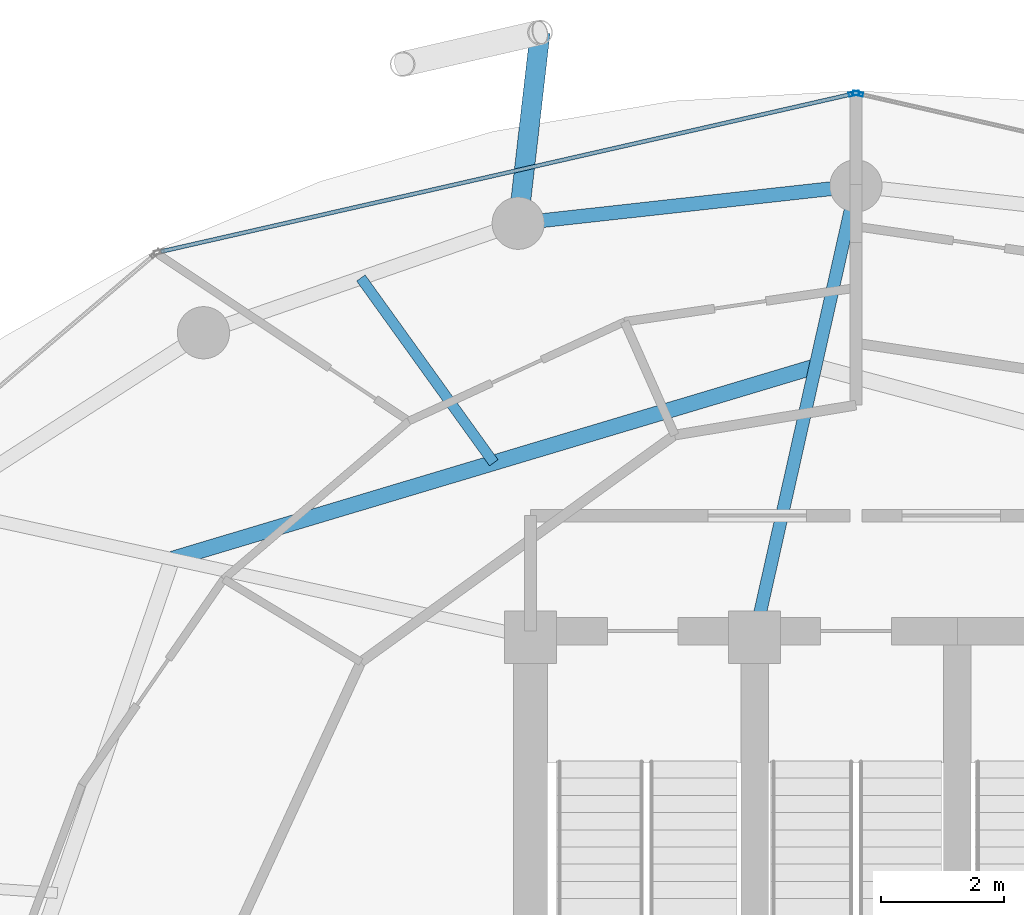
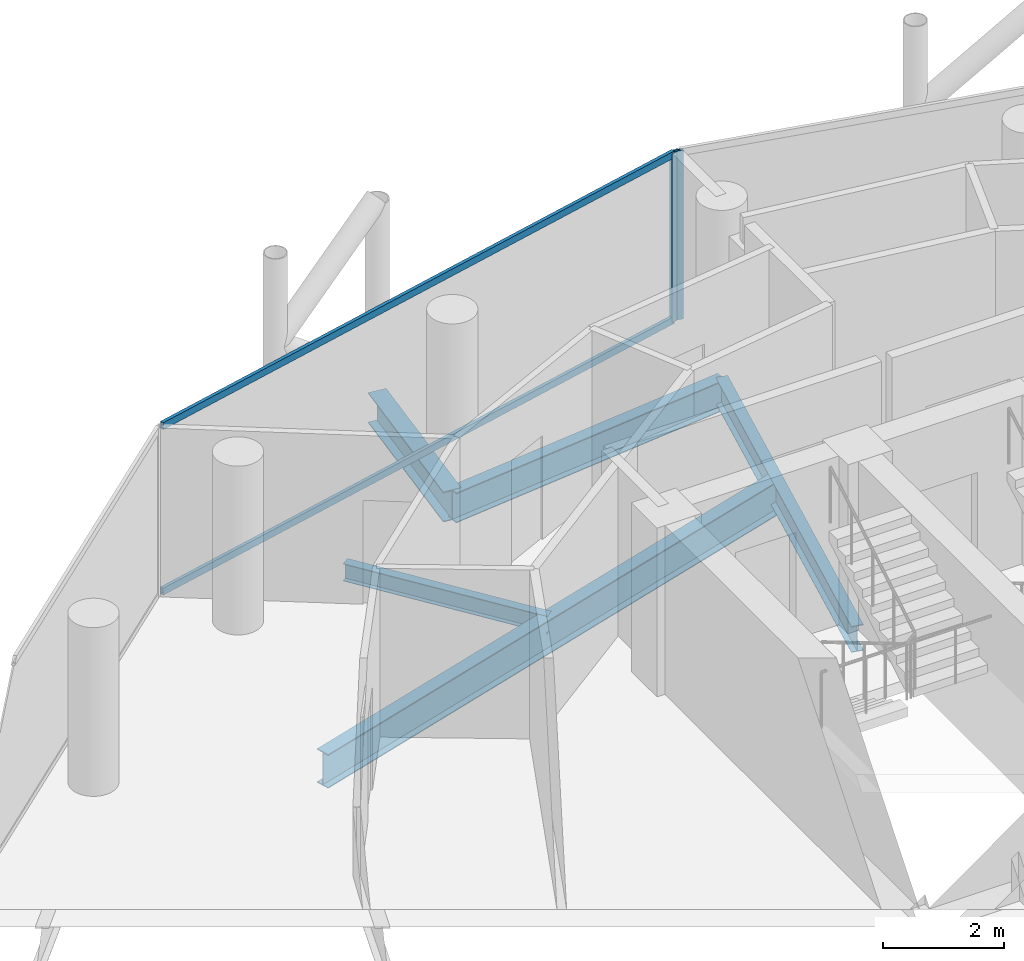
# One storey, part 19 of 27: 5 beams, 4 members, 2 elements without a shape of their own.
"""IFC4 building model written with IfcOpenShell, lengths in metres."""

from ifc_helpers import new_model, si_unit, direction, frame, origin, origin_2d, place, context, subcontext, project, spatial, hollow_rectangle, i_section, extrude, material, layer, layer_set, material_profile, profile_set, type_object, element, aggregate, save


model = new_model("IFC4")

# Units and contexts
model_context = context("Model", 3, precision=1e-05, world=origin(), true_north=direction((0.0, 1.0)))
body_context = subcontext(model_context, "Body", "Model", "MODEL_VIEW")
ifc_project = project(units=[si_unit("LENGTHUNIT", "METRE"), si_unit("AREAUNIT", "SQUARE_METRE"), si_unit("VOLUMEUNIT", "CUBIC_METRE"), si_unit("PLANEANGLEUNIT", "RADIAN"), si_unit("MASSUNIT", "GRAM", prefix="KILO")], contexts=[model_context])

# Site, building, storey
site_placement = place(None, origin())
site = spatial("IfcSite", under=ifc_project, at=site_placement, CompositionType="ELEMENT")
building_placement = place(site_placement, origin())
building = spatial("IfcBuilding", under=site, at=building_placement, Name="Nuhasar Tower", CompositionType="ELEMENT")
storey_placement = place(building_placement, frame((0.0, 0.0, 233.699951171875)))
storey = spatial("IfcBuildingStorey", under=building, at=storey_placement, Name="L57", CompositionType="ELEMENT", Elevation=233.699951171875)

# Beams
ifc_material_1 = material(Name="Steel S355", Category="steel")
ifc_material_profile_1 = material_profile(ifc_material_1, i_section(OverallWidth=0.25390625, OverallDepth=0.68408203125, WebThickness=0.012451171875, FlangeThickness=0.018798828125, at=origin_2d()), Name="W27X94")
ifc_profile_set_1 = profile_set([ifc_material_profile_1], Name="Steel S355")
beam_type_1 = type_object("IfcBeamType", Name="BM-INRING-W27X94", PredefinedType="BEAM", material=ifc_profile_set_1)
beam_1_placement = place(storey_placement, frame((38.340087890625, 41.7099609375, -0.58203125), z_axis=(-0.957973628187, -0.28685628405, 0.0), x_axis=(0.28685628405, -0.957973628187, 0.0)))
element("IfcBeam", 1, at=beam_1_placement, inside=storey, type_object=beam_type_1, Name="L57 Inner Header Beam 06", PredefinedType="BEAM", context=body_context, shape_type="SweptSolid", body=[
    extrude(i_section(OverallWidth=0.25390625, OverallDepth=0.68408203125, WebThickness=0.012451171875, FlangeThickness=0.018798828125, at=origin_2d()), origin(), (0.0, 0.0, 1.0), 10.935546875),
])
ifc_material_profile_2 = material_profile(ifc_material_1, i_section(OverallWidth=0.1708984375, OverallDepth=0.35205078125, WebThickness=0.0068359375, FlangeThickness=0.009765625, at=origin_2d()), Name="W14X30")
ifc_profile_set_2 = profile_set([ifc_material_profile_2], Name="Steel S355")
beam_type_2 = type_object("IfcBeamType", Name="BM-JST-W14X30", PredefinedType="JOIST", material=ifc_profile_set_2)
beam_2_placement = place(storey_placement, frame((33.10205078125, 40.14208984375, -0.416015625), z_axis=(-0.58390205555, 0.811824112431, 0.0), x_axis=(-0.811824112431, -0.58390205555, 0.0)))
element("IfcBeam", 2, at=beam_2_placement, inside=storey, type_object=beam_type_2, Name="L57 Secondary Floor Joist 06", PredefinedType="JOIST", context=body_context, shape_type="SweptSolid", body=[
    extrude(i_section(OverallWidth=0.1708984375, OverallDepth=0.35205078125, WebThickness=0.0068359375, FlangeThickness=0.009765625, at=origin_2d()), origin(), (0.0, 0.0, 1.0), 3.706298828125),
])
ifc_material_profile_3 = material_profile(ifc_material_1, i_section(OverallWidth=0.208984375, OverallDepth=0.528076171875, WebThickness=0.009521484375, FlangeThickness=0.01318359375, at=origin_2d()), Name="W21X55")
ifc_profile_set_3 = profile_set([ifc_material_profile_3], Name="Steel S355")
beam_type_3 = type_object("IfcBeamType", Name="BM-RAD-W21X55", PredefinedType="BEAM", material=ifc_profile_set_3)
beam_3_placement = place(storey_placement, frame((37.35009765625, 37.300048828125, -0.50390625), z_axis=(0.219030156142, 0.975718089768, 0.0), x_axis=(-0.975718089768, 0.219030156142, 0.0)))
element("IfcBeam", 3, at=beam_3_placement, inside=storey, type_object=beam_type_3, Name="L57 Radial Floor Girder 06", PredefinedType="BEAM", context=body_context, shape_type="SweptSolid", body=[
    extrude(i_section(OverallWidth=0.208984375, OverallDepth=0.528076171875, WebThickness=0.009521484375, FlangeThickness=0.01318359375, at=origin_2d()), origin(), (0.0, 0.0, 1.0), 7.53271484375),
])
ifc_material_profile_4 = material_profile(ifc_material_1, i_section(OverallWidth=0.22802734375, OverallDepth=0.60791015625, WebThickness=0.01123046875, FlangeThickness=0.017333984375, at=origin_2d()), Name="W24X76")
ifc_profile_set_4 = profile_set([ifc_material_profile_4], Name="Steel S355")
beam_type_4 = type_object("IfcBeamType", Name="BM-RING-W24X76", PredefinedType="SPANDREL", material=ifc_profile_set_4)
beam_4_placement = place(storey_placement, frame((39.0, 44.64990234375, -0.5439453125), z_axis=(-0.993947060915, -0.109860093292, 0.0), x_axis=(0.109860093292, -0.993947060915, 0.0)))
element("IfcBeam", 4, at=beam_4_placement, inside=storey, type_object=beam_type_4, Name="L57 Perimeter Ring Spandrel 07", PredefinedType="SPANDREL", context=body_context, shape_type="SweptSolid", body=[
    extrude(i_section(OverallWidth=0.22802734375, OverallDepth=0.60791015625, WebThickness=0.01123046875, FlangeThickness=0.017333984375, at=origin_2d()), origin(), (0.0, 0.0, 1.0), 5.533447265625),
])
ifc_material_profile_5 = material_profile(ifc_material_1, i_section(OverallWidth=0.323974609375, OverallDepth=0.611083984375, WebThickness=0.0126953125, FlangeThickness=0.01904296875, at=origin_2d()), Name="W24X104")
ifc_profile_set_5 = profile_set([ifc_material_profile_5], Name="Steel S355")
beam_type_5 = type_object("IfcBeamType", Name="BM-TIE-W24X104", PredefinedType="BEAM", material=ifc_profile_set_5)
beam_5_placement = place(storey_placement, frame((33.5, 44.0419921875, -0.544921875), z_axis=(0.114132222314, 0.993465568517, 0.0), x_axis=(-0.993465568517, 0.114132222314, 0.0)))
element("IfcBeam", 5, at=beam_5_placement, inside=storey, type_object=beam_type_5, Name="L57 Exoskeleton Node Tie Beam 04", PredefinedType="BEAM", context=body_context, shape_type="SweptSolid", body=[
    extrude(i_section(OverallWidth=0.323974609375, OverallDepth=0.611083984375, WebThickness=0.0126953125, FlangeThickness=0.01904296875, at=origin_2d()), origin(), (0.0, 0.0, 1.0), 3.12744140625),
])

# Curtain wall, member
ifc_material_2 = material(Name="Aluminium 6063-T6", Category="aluminium")
ifc_layer = layer(ifc_material_2, 0.18994140625)
ifc_layer_set = layer_set([ifc_layer], Name="Aluminium 6063-T6")
curtain_wall_type = type_object("IfcCurtainWallType", Name="CW-Z3-RES", PredefinedType="NOTDEFINED", material=ifc_layer_set)
curtain_wall_1_placement = place(storey_placement, origin())
curtain_wall_1 = element("IfcCurtainWall", 6, at=curtain_wall_1_placement, inside=storey, type_object=curtain_wall_type, Name="L57 Unitised Curtain Wall 03", PredefinedType="NOTDEFINED")
ifc_material_profile_6 = material_profile(ifc_material_2, hollow_rectangle(XDim=0.06494140625, YDim=0.169921875, WallThickness=0.0048828125, at=origin_2d()), Name="CWM-4")
ifc_profile_set_6 = profile_set([ifc_material_profile_6], Name="Aluminium 6063-T6")
member_type_1 = type_object("IfcMemberType", Name="CW-MUL-S4", PredefinedType="MULLION", material=ifc_profile_set_6)
member_1_placement = place(storey_placement, frame((39.03173828125, 46.15283203125, 0.0), z_axis=(0.0, 0.0, 1.0), x_axis=(-0.222243176313, -0.974991266926, 0.0)))
member_1 = element("IfcMember", 7, at=member_1_placement, type_object=member_type_1, Name="CW-Z3 mullion 2", PredefinedType="MULLION", context=body_context, shape_type="SweptSolid", body=[
    extrude(hollow_rectangle(XDim=0.06494140625, YDim=0.169921875, WallThickness=0.0048828125, at=origin_2d()), origin(), (0.0, 0.0, 1.0), 3.41015625),
])
aggregate(curtain_wall_1, [member_1])

# Curtain wall, members
curtain_wall_2_placement = place(storey_placement, origin())
curtain_wall_2 = element("IfcCurtainWall", 8, at=curtain_wall_2_placement, inside=storey, type_object=curtain_wall_type, Name="L57 Unitised Curtain Wall 04", PredefinedType="NOTDEFINED")
member_2_placement = place(storey_placement, frame((38.96826171875, 46.15283203125, 0.0), z_axis=(0.0, 0.0, 1.0), x_axis=(0.222243176313, -0.974991266926, 0.0)))
member_2 = element("IfcMember", 9, at=member_2_placement, type_object=member_type_1, Name="CW-Z3 mullion 1", PredefinedType="MULLION", context=body_context, shape_type="SweptSolid", body=[
    extrude(hollow_rectangle(XDim=0.06494140625, YDim=0.169921875, WallThickness=0.0048828125, at=origin_2d()), origin(), (0.0, 0.0, 1.0), 3.41015625),
])
ifc_material_profile_7 = material_profile(ifc_material_2, hollow_rectangle(XDim=0.06494140625, YDim=0.139892578125, WallThickness=0.00439453125, at=origin_2d()), Name="CWT-4")
ifc_profile_set_7 = profile_set([ifc_material_profile_7], Name="Aluminium 6063-T6")
member_type_2 = type_object("IfcMemberType", Name="CW-TRN-S4", PredefinedType="USERDEFINED", material=ifc_profile_set_7)
member_3_placement = place(storey_placement, frame((38.9365234375, 46.1455078125, 0.032470703125), z_axis=(-0.974994070913, -0.222230874732, 0.0), x_axis=(0.222230874732, -0.974994070913, 0.0)))
member_3 = element("IfcMember", 10, at=member_3_placement, type_object=member_type_2, Name="CW-Z3 transom 1.1", ObjectType="TRANSOM", PredefinedType="USERDEFINED", context=body_context, shape_type="SweptSolid", body=[
    extrude(hollow_rectangle(XDim=0.06494140625, YDim=0.139892578125, WallThickness=0.00439453125, at=origin_2d()), origin(), (0.0, 0.0, 1.0), 11.541748046875),
])
member_4_placement = place(storey_placement, frame((38.9365234375, 46.1455078125, 3.37744140625), z_axis=(-0.974994070913, -0.222230874732, 0.0), x_axis=(0.222230874732, -0.974994070913, 0.0)))
member_4 = element("IfcMember", 11, at=member_4_placement, type_object=member_type_2, Name="CW-Z3 transom 1.2", ObjectType="TRANSOM", PredefinedType="USERDEFINED", context=body_context, shape_type="SweptSolid", body=[
    extrude(hollow_rectangle(XDim=0.06494140625, YDim=0.139892578125, WallThickness=0.00439453125, at=origin_2d()), origin(), (0.0, 0.0, 1.0), 11.541748046875),
])
aggregate(curtain_wall_2, [member_2, member_3, member_4])

save(model, "model.ifc")
